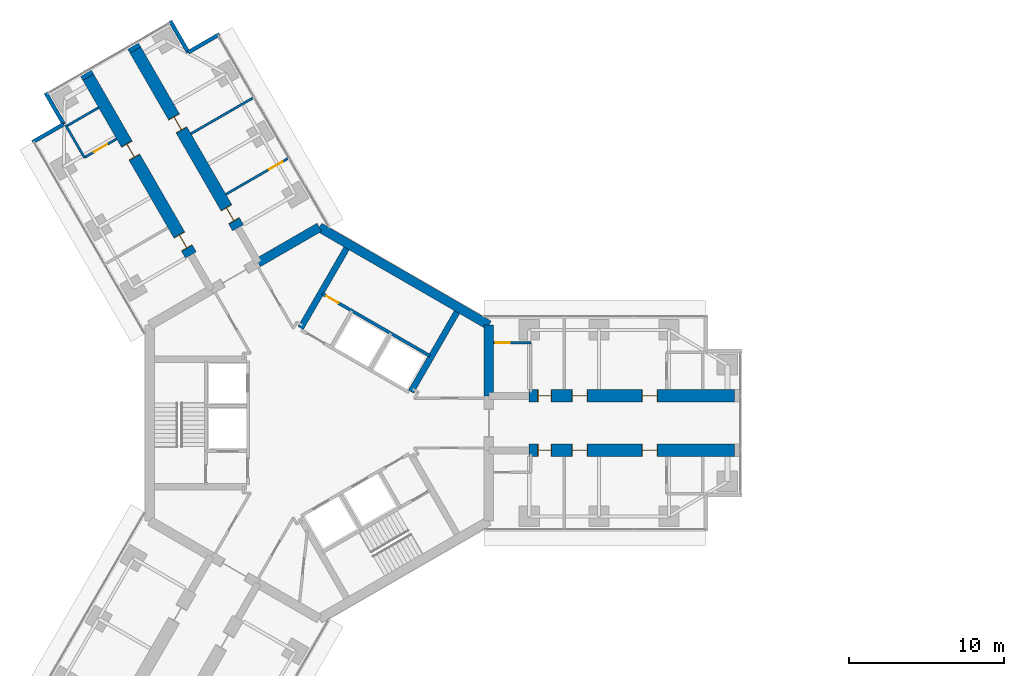
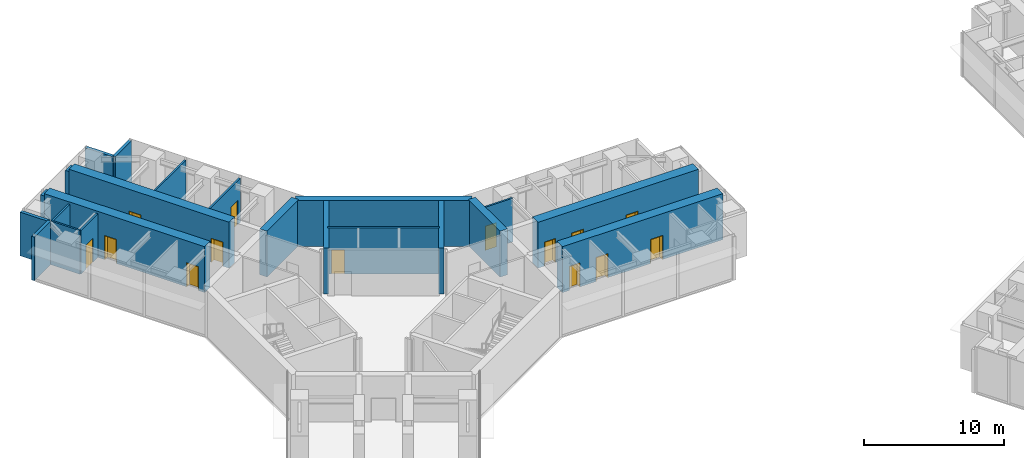
# One storey, part 17 of 22: 22 walls, 14 doors, 14 openings.
"""IFC4 building model written with IfcOpenShell, lengths in metres."""

from ifc_helpers import new_model, si_unit, direction, frame, frame_2d, origin, place, context, subcontext, project, spatial, rectangle, extrude, material, layer, layer_set, type_object, element, fill, save


model = new_model("IFC4")

# Units and contexts
model_context = context("Model", 3, precision=1e-05, world=origin(), true_north=direction((0.0, 1.0)))
body_context = subcontext(model_context, "Body", "Model", "MODEL_VIEW")
ifc_project = project(units=[si_unit("LENGTHUNIT", "METRE"), si_unit("AREAUNIT", "SQUARE_METRE"), si_unit("VOLUMEUNIT", "CUBIC_METRE"), si_unit("PLANEANGLEUNIT", "RADIAN"), si_unit("MASSUNIT", "GRAM", prefix="KILO")], contexts=[model_context])

# Site, building, storey
site_placement = place(None, origin())
site = spatial("IfcSite", under=ifc_project, at=site_placement, CompositionType="ELEMENT")
building_placement = place(site_placement, origin())
building = spatial("IfcBuilding", under=site, at=building_placement, Name="Upepo Twin Towers", CompositionType="ELEMENT")
storey_placement = place(building_placement, frame((0.0, 0.0, 121.5)))
storey = spatial("IfcBuildingStorey", under=building, at=storey_placement, Name="L29", CompositionType="ELEMENT", Elevation=121.5)

# Walls
ifc_material_1 = material(Name="Dense concrete blockwork", Category="masonry")
ifc_layer_1 = layer(ifc_material_1, 0.800048828125)
ifc_layer_set_1 = layer_set([ifc_layer_1], Name="Buttress closer 800, blockwork with fire-stopping to the curtain wall")
wall_type_1 = type_object("IfcWallType", Name="Buttress closer 800, blockwork with fire-stopping to the curtain wall", PredefinedType="PARTITIONING", material=ifc_layer_set_1)
wall_1_placement = place(storey_placement, frame((-14.865478515625, 22.247802734375, 0.0), z_axis=(0.0, 0.0, 1.0), x_axis=(-0.500426713919, 0.865778900179, 0.0)))
element("IfcWall", 1, at=wall_1_placement, inside=storey, type_object=wall_type_1, Name="T1 L29 wing B buttress closer L", PredefinedType="PARTITIONING", context=body_context, shape_type="SweptSolid", body=[
    extrude(rectangle(XDim=0.300048828125, YDim=0.800048828125, at=frame_2d((0.14990234375, 0.0))), origin(), (0.0, 0.0, 1.0), 3.800048828125),
])
wall_2_placement = place(storey_placement, frame((-11.83447265625, 23.997802734375, 0.0), z_axis=(0.0, 0.0, 1.0), x_axis=(-0.499816412211, 0.866131372301, 0.0)))
element("IfcWall", 2, at=wall_2_placement, inside=storey, type_object=wall_type_1, Name="T1 L29 wing B buttress closer R", PredefinedType="PARTITIONING", context=body_context, shape_type="SweptSolid", body=[
    extrude(rectangle(XDim=0.2998046875, YDim=0.800048828125, at=frame_2d((0.14990234375, 0.0))), origin(), (0.0, 0.0, 1.0), 3.800048828125),
])

# Wall, openings, doors
ifc_material_2 = material(Name="Concrete C60/75", Category="concrete")
ifc_layer_2 = layer(ifc_material_2, 0.800048828125)
ifc_layer_set_2 = layer_set([ifc_layer_2], Name="Concrete C60/75")
wall_type_2 = type_object("IfcWallType", Name="Buttress wall 800 RC", PredefinedType="SHEAR", material=ifc_layer_set_2)
wall_3_placement = place(storey_placement, frame((13.5, 1.75, 0.0), z_axis=(0.0, 0.0, 1.0), x_axis=(1.0, 0.0, 0.0)))
wall_3 = element("IfcWall", 3, at=wall_3_placement, inside=storey, type_object=wall_type_2, Name="T1 wing A buttress wall L part 2", PredefinedType="SHEAR", context=body_context, shape_type="SweptSolid", body=[
    extrude(rectangle(XDim=13.199951171875, YDim=0.800048828125, at=frame_2d((6.60009765625, 0.0))), origin(), (0.0, 0.0, 1.0), 4.0),
])
opening_1_placement = place(wall_3_placement, frame((0.550048828125, 0.0, 0.0)))
opening_1 = element("IfcOpeningElement", 4, at=opening_1_placement, cuts=wall_3, Name="Opening D11", PredefinedType="OPENING", context=body_context, shape_type="SweptSolid", body=[
    extrude(rectangle(XDim=0.89990234375, YDim=2.10009765625, at=frame_2d((0.449951171875, 1.050048828125))), frame((0.0, 0.409912109375, 0.0), z_axis=(0.0, -1.0, 0.0), x_axis=(1.0, 0.0, 0.0)), (0.0, 0.0, 1.0), 0.820068359375),
])
opening_2_placement = place(wall_3_placement, frame((2.75, 0.0, 0.0)))
opening_2 = element("IfcOpeningElement", 5, at=opening_2_placement, cuts=wall_3, Name="Opening D1", PredefinedType="OPENING", context=body_context, shape_type="SweptSolid", body=[
    extrude(rectangle(XDim=1.0, YDim=2.10009765625, at=frame_2d((0.5, 1.050048828125))), frame((0.0, 0.409912109375, 0.0), z_axis=(0.0, -1.0, 0.0), x_axis=(1.0, 0.0, 0.0)), (0.0, 0.0, 1.0), 0.820068359375),
])
opening_3_placement = place(wall_3_placement, frame((7.25, 0.0, 0.0)))
opening_3 = element("IfcOpeningElement", 6, at=opening_3_placement, cuts=wall_3, Name="Opening D1", PredefinedType="OPENING", context=body_context, shape_type="SweptSolid", body=[
    extrude(rectangle(XDim=1.0, YDim=2.10009765625, at=frame_2d((0.5, 1.050048828125))), frame((0.0, 0.409912109375, 0.0), z_axis=(0.0, -1.0, 0.0), x_axis=(1.0, 0.0, 0.0)), (0.0, 0.0, 1.0), 0.820068359375),
])
ifc_material_3 = material(Name="Timber doorset", Category="wood")
door_type_1 = type_object("IfcDoorType", Name="Room door 1000 FD30", OperationType="SINGLE_SWING_LEFT", PredefinedType="DOOR", material=ifc_material_3)
door_1_placement = place(opening_2_placement, origin())
door_1 = element("IfcDoor", 7, at=door_1_placement, inside=storey, type_object=door_type_1, Name="T1 L29 research laboratory door", OperationType="SINGLE_SWING_LEFT", OverallHeight=2.10009765625, OverallWidth=1.0, PredefinedType="DOOR", context=body_context, shape_type="SweptSolid", body=[
    extrude(rectangle(XDim=0.92, YDim=2.06009765625, at=frame_2d((0.5, 1.030029296875))), frame((0.0, 0.02490234375, 0.0), z_axis=(0.0, -1.0, 0.0), x_axis=(1.0, 0.0, 0.0)), (0.0, 0.0, 1.0), 0.050048828125),
    extrude(rectangle(XDim=0.04, YDim=2.10009765625, at=frame_2d((0.02001953125, 1.050048828125))), frame((0.0, 0.39990234375, 0.0), z_axis=(0.0, -1.0, 0.0), x_axis=(1.0, 0.0, 0.0)), (0.0, 0.0, 1.0), 0.799560546875),
    extrude(rectangle(XDim=0.04, YDim=2.10009765625, at=frame_2d((0.97998046875, 1.050048828125))), frame((0.0, 0.39990234375, 0.0), z_axis=(0.0, -1.0, 0.0), x_axis=(1.0, 0.0, 0.0)), (0.0, 0.0, 1.0), 0.799560546875),
    extrude(rectangle(XDim=0.92, YDim=0.04, at=frame_2d((0.5, 2.080078125))), frame((0.0, 0.39990234375, 0.0), z_axis=(0.0, -1.0, 0.0), x_axis=(1.0, 0.0, 0.0)), (0.0, 0.0, 1.0), 0.799560546875),
])
fill(opening_2, door_1)
door_2_placement = place(opening_3_placement, origin())
door_2 = element("IfcDoor", 8, at=door_2_placement, inside=storey, type_object=door_type_1, Name="T1 L29 research laboratory door", OperationType="SINGLE_SWING_RIGHT", OverallHeight=2.10009765625, OverallWidth=1.0, PredefinedType="DOOR", context=body_context, shape_type="SweptSolid", body=[
    extrude(rectangle(XDim=0.92, YDim=2.06009765625, at=frame_2d((0.5, 1.030029296875))), frame((0.0, 0.02490234375, 0.0), z_axis=(0.0, -1.0, 0.0), x_axis=(1.0, 0.0, 0.0)), (0.0, 0.0, 1.0), 0.050048828125),
    extrude(rectangle(XDim=0.04, YDim=2.10009765625, at=frame_2d((0.02001953125, 1.050048828125))), frame((0.0, 0.39990234375, 0.0), z_axis=(0.0, -1.0, 0.0), x_axis=(1.0, 0.0, 0.0)), (0.0, 0.0, 1.0), 0.799560546875),
    extrude(rectangle(XDim=0.04, YDim=2.10009765625, at=frame_2d((0.97998046875, 1.050048828125))), frame((0.0, 0.39990234375, 0.0), z_axis=(0.0, -1.0, 0.0), x_axis=(1.0, 0.0, 0.0)), (0.0, 0.0, 1.0), 0.799560546875),
    extrude(rectangle(XDim=0.92, YDim=0.04, at=frame_2d((0.5, 2.080078125))), frame((0.0, 0.39990234375, 0.0), z_axis=(0.0, -1.0, 0.0), x_axis=(1.0, 0.0, 0.0)), (0.0, 0.0, 1.0), 0.799560546875),
])
fill(opening_3, door_2)
ifc_material_4 = material(Name="Timber doorset", Category="wood")
door_type_2 = type_object("IfcDoorType", Name="Toilet door 900", OperationType="SINGLE_SWING_LEFT", PredefinedType="DOOR", material=ifc_material_4)
door_3_placement = place(opening_1_placement, origin())
door_3 = element("IfcDoor", 9, at=door_3_placement, inside=storey, type_object=door_type_2, Name="T1 L29 accessible wc door", OperationType="SINGLE_SWING_LEFT", OverallHeight=2.10009765625, OverallWidth=0.89990234375, PredefinedType="DOOR", context=body_context, shape_type="SweptSolid", body=[
    extrude(rectangle(XDim=0.81990234375, YDim=2.06009765625, at=frame_2d((0.449951171875, 1.030029296875))), frame((0.0, 0.02490234375, 0.0), z_axis=(0.0, -1.0, 0.0), x_axis=(1.0, 0.0, 0.0)), (0.0, 0.0, 1.0), 0.050048828125),
    extrude(rectangle(XDim=0.04, YDim=2.10009765625, at=frame_2d((0.02001953125, 1.050048828125))), frame((0.0, 0.39990234375, 0.0), z_axis=(0.0, -1.0, 0.0), x_axis=(1.0, 0.0, 0.0)), (0.0, 0.0, 1.0), 0.799560546875),
    extrude(rectangle(XDim=0.04, YDim=2.10009765625, at=frame_2d((0.8798828125, 1.050048828125))), frame((0.0, 0.39990234375, 0.0), z_axis=(0.0, -1.0, 0.0), x_axis=(1.0, 0.0, 0.0)), (0.0, 0.0, 1.0), 0.799560546875),
    extrude(rectangle(XDim=0.81990234375, YDim=0.04, at=frame_2d((0.449951171875, 2.080078125))), frame((0.0, 0.39990234375, 0.0), z_axis=(0.0, -1.0, 0.0), x_axis=(1.0, 0.0, 0.0)), (0.0, 0.0, 1.0), 0.799560546875),
])
fill(opening_1, door_3)

wall_4_placement = place(storey_placement, frame((13.5, -1.75, 0.0), z_axis=(0.0, 0.0, 1.0), x_axis=(1.0, 0.0, 0.0)))
wall_4 = element("IfcWall", 10, at=wall_4_placement, inside=storey, type_object=wall_type_2, Name="T1 wing A buttress wall R part 2", PredefinedType="SHEAR", context=body_context, shape_type="SweptSolid", body=[
    extrude(rectangle(XDim=13.199951171875, YDim=0.800048828125, at=frame_2d((6.60009765625, 0.0))), origin(), (0.0, 0.0, 1.0), 4.0),
])
opening_4_placement = place(wall_4_placement, frame((0.550048828125, 0.0, 0.0)))
opening_4 = element("IfcOpeningElement", 11, at=opening_4_placement, cuts=wall_4, Name="Opening D11", PredefinedType="OPENING", context=body_context, shape_type="SweptSolid", body=[
    extrude(rectangle(XDim=0.89990234375, YDim=2.10009765625, at=frame_2d((0.449951171875, 1.050048828125))), frame((0.0, 0.409912109375, 0.0), z_axis=(0.0, -1.0, 0.0), x_axis=(1.0, 0.0, 0.0)), (0.0, 0.0, 1.0), 0.820068359375),
])
opening_5_placement = place(wall_4_placement, frame((2.75, 0.0, 0.0)))
opening_5 = element("IfcOpeningElement", 12, at=opening_5_placement, cuts=wall_4, Name="Opening D1", PredefinedType="OPENING", context=body_context, shape_type="SweptSolid", body=[
    extrude(rectangle(XDim=1.0, YDim=2.10009765625, at=frame_2d((0.5, 1.050048828125))), frame((0.0, 0.409912109375, 0.0), z_axis=(0.0, -1.0, 0.0), x_axis=(1.0, 0.0, 0.0)), (0.0, 0.0, 1.0), 0.820068359375),
])
opening_6_placement = place(wall_4_placement, frame((7.25, 0.0, 0.0)))
opening_6 = element("IfcOpeningElement", 13, at=opening_6_placement, cuts=wall_4, Name="Opening D1", PredefinedType="OPENING", context=body_context, shape_type="SweptSolid", body=[
    extrude(rectangle(XDim=1.0, YDim=2.10009765625, at=frame_2d((0.5, 1.050048828125))), frame((0.0, 0.409912109375, 0.0), z_axis=(0.0, -1.0, 0.0), x_axis=(1.0, 0.0, 0.0)), (0.0, 0.0, 1.0), 0.820068359375),
])
door_4_placement = place(opening_5_placement, origin())
door_4 = element("IfcDoor", 14, at=door_4_placement, inside=storey, type_object=door_type_1, Name="T1 L29 research laboratory door", OperationType="SINGLE_SWING_LEFT", OverallHeight=2.10009765625, OverallWidth=1.0, PredefinedType="DOOR", context=body_context, shape_type="SweptSolid", body=[
    extrude(rectangle(XDim=0.92, YDim=2.06009765625, at=frame_2d((0.5, 1.030029296875))), frame((0.0, 0.02490234375, 0.0), z_axis=(0.0, -1.0, 0.0), x_axis=(1.0, 0.0, 0.0)), (0.0, 0.0, 1.0), 0.050048828125),
    extrude(rectangle(XDim=0.04, YDim=2.10009765625, at=frame_2d((0.02001953125, 1.050048828125))), frame((0.0, 0.39990234375, 0.0), z_axis=(0.0, -1.0, 0.0), x_axis=(1.0, 0.0, 0.0)), (0.0, 0.0, 1.0), 0.799560546875),
    extrude(rectangle(XDim=0.04, YDim=2.10009765625, at=frame_2d((0.97998046875, 1.050048828125))), frame((0.0, 0.39990234375, 0.0), z_axis=(0.0, -1.0, 0.0), x_axis=(1.0, 0.0, 0.0)), (0.0, 0.0, 1.0), 0.799560546875),
    extrude(rectangle(XDim=0.92, YDim=0.04, at=frame_2d((0.5, 2.080078125))), frame((0.0, 0.39990234375, 0.0), z_axis=(0.0, -1.0, 0.0), x_axis=(1.0, 0.0, 0.0)), (0.0, 0.0, 1.0), 0.799560546875),
])
fill(opening_5, door_4)
door_5_placement = place(opening_6_placement, origin())
door_5 = element("IfcDoor", 15, at=door_5_placement, inside=storey, type_object=door_type_1, Name="T1 L29 research laboratory door", OperationType="SINGLE_SWING_RIGHT", OverallHeight=2.10009765625, OverallWidth=1.0, PredefinedType="DOOR", context=body_context, shape_type="SweptSolid", body=[
    extrude(rectangle(XDim=0.92, YDim=2.06009765625, at=frame_2d((0.5, 1.030029296875))), frame((0.0, 0.02490234375, 0.0), z_axis=(0.0, -1.0, 0.0), x_axis=(1.0, 0.0, 0.0)), (0.0, 0.0, 1.0), 0.050048828125),
    extrude(rectangle(XDim=0.04, YDim=2.10009765625, at=frame_2d((0.02001953125, 1.050048828125))), frame((0.0, 0.39990234375, 0.0), z_axis=(0.0, -1.0, 0.0), x_axis=(1.0, 0.0, 0.0)), (0.0, 0.0, 1.0), 0.799560546875),
    extrude(rectangle(XDim=0.04, YDim=2.10009765625, at=frame_2d((0.97998046875, 1.050048828125))), frame((0.0, 0.39990234375, 0.0), z_axis=(0.0, -1.0, 0.0), x_axis=(1.0, 0.0, 0.0)), (0.0, 0.0, 1.0), 0.799560546875),
    extrude(rectangle(XDim=0.92, YDim=0.04, at=frame_2d((0.5, 2.080078125))), frame((0.0, 0.39990234375, 0.0), z_axis=(0.0, -1.0, 0.0), x_axis=(1.0, 0.0, 0.0)), (0.0, 0.0, 1.0), 0.799560546875),
])
fill(opening_6, door_5)
door_6_placement = place(opening_4_placement, origin())
door_6 = element("IfcDoor", 16, at=door_6_placement, inside=storey, type_object=door_type_2, Name="T1 L29 toilets door", OperationType="SINGLE_SWING_LEFT", OverallHeight=2.10009765625, OverallWidth=0.89990234375, PredefinedType="DOOR", context=body_context, shape_type="SweptSolid", body=[
    extrude(rectangle(XDim=0.81990234375, YDim=2.06009765625, at=frame_2d((0.449951171875, 1.030029296875))), frame((0.0, 0.02490234375, 0.0), z_axis=(0.0, -1.0, 0.0), x_axis=(1.0, 0.0, 0.0)), (0.0, 0.0, 1.0), 0.050048828125),
    extrude(rectangle(XDim=0.04, YDim=2.10009765625, at=frame_2d((0.02001953125, 1.050048828125))), frame((0.0, 0.39990234375, 0.0), z_axis=(0.0, -1.0, 0.0), x_axis=(1.0, 0.0, 0.0)), (0.0, 0.0, 1.0), 0.799560546875),
    extrude(rectangle(XDim=0.04, YDim=2.10009765625, at=frame_2d((0.8798828125, 1.050048828125))), frame((0.0, 0.39990234375, 0.0), z_axis=(0.0, -1.0, 0.0), x_axis=(1.0, 0.0, 0.0)), (0.0, 0.0, 1.0), 0.799560546875),
    extrude(rectangle(XDim=0.81990234375, YDim=0.04, at=frame_2d((0.449951171875, 2.080078125))), frame((0.0, 0.39990234375, 0.0), z_axis=(0.0, -1.0, 0.0), x_axis=(1.0, 0.0, 0.0)), (0.0, 0.0, 1.0), 0.799560546875),
])
fill(opening_4, door_6)

wall_5_placement = place(storey_placement, frame((-8.265625, 10.81640625, 0.0), z_axis=(0.0, 0.0, 1.0), x_axis=(-0.499996231654, 0.866027579429, 0.0)))
wall_5 = element("IfcWall", 17, at=wall_5_placement, inside=storey, type_object=wall_type_2, Name="T1 wing B buttress wall L part 2", PredefinedType="SHEAR", context=body_context, shape_type="SweptSolid", body=[
    extrude(rectangle(XDim=13.19970703125, YDim=0.800048828125, at=frame_2d((6.599853515625, 0.0))), origin(), (0.0, 0.0, 1.0), 4.0),
])
opening_7_placement = place(wall_5_placement, frame((0.5, 0.0, 0.0)))
opening_7 = element("IfcOpeningElement", 18, at=opening_7_placement, cuts=wall_5, Name="Opening D1", PredefinedType="OPENING", context=body_context, shape_type="SweptSolid", body=[
    extrude(rectangle(XDim=1.0, YDim=2.10009765625, at=frame_2d((0.5, 1.050048828125))), frame((0.0, 0.409912109375, 0.0), z_axis=(0.0, -1.0, 0.0), x_axis=(1.0, 0.0, 0.0)), (0.0, 0.0, 1.0), 0.820068359375),
])
opening_8_placement = place(wall_5_placement, frame((7.25, 0.0, 0.0)))
opening_8 = element("IfcOpeningElement", 19, at=opening_8_placement, cuts=wall_5, Name="Opening D1", PredefinedType="OPENING", context=body_context, shape_type="SweptSolid", body=[
    extrude(rectangle(XDim=1.0, YDim=2.10009765625, at=frame_2d((0.5, 1.050048828125))), frame((0.0, 0.409912109375, 0.0), z_axis=(0.0, -1.0, 0.0), x_axis=(1.0, 0.0, 0.0)), (0.0, 0.0, 1.0), 0.820068359375),
])
door_7_placement = place(opening_7_placement, origin())
door_7 = element("IfcDoor", 20, at=door_7_placement, inside=storey, type_object=door_type_1, Name="T1 L29 seminar room door", OperationType="SINGLE_SWING_LEFT", OverallHeight=2.10009765625, OverallWidth=1.0, PredefinedType="DOOR", context=body_context, shape_type="SweptSolid", body=[
    extrude(rectangle(XDim=0.92, YDim=2.06009765625, at=frame_2d((0.5, 1.030029296875))), frame((0.0, 0.02490234375, 0.0), z_axis=(0.0, -1.0, 0.0), x_axis=(1.0, 0.0, 0.0)), (0.0, 0.0, 1.0), 0.050048828125),
    extrude(rectangle(XDim=0.04, YDim=2.10009765625, at=frame_2d((0.02001953125, 1.050048828125))), frame((0.0, 0.39990234375, 0.0), z_axis=(0.0, -1.0, 0.0), x_axis=(1.0, 0.0, 0.0)), (0.0, 0.0, 1.0), 0.799560546875),
    extrude(rectangle(XDim=0.04, YDim=2.10009765625, at=frame_2d((0.97998046875, 1.050048828125))), frame((0.0, 0.39990234375, 0.0), z_axis=(0.0, -1.0, 0.0), x_axis=(1.0, 0.0, 0.0)), (0.0, 0.0, 1.0), 0.799560546875),
    extrude(rectangle(XDim=0.92, YDim=0.04, at=frame_2d((0.5, 2.080078125))), frame((0.0, 0.39990234375, 0.0), z_axis=(0.0, -1.0, 0.0), x_axis=(1.0, 0.0, 0.0)), (0.0, 0.0, 1.0), 0.799560546875),
])
fill(opening_7, door_7)
door_8_placement = place(opening_8_placement, origin())
door_8 = element("IfcDoor", 21, at=door_8_placement, inside=storey, type_object=door_type_1, Name="T1 L29 research laboratory door", OperationType="SINGLE_SWING_RIGHT", OverallHeight=2.10009765625, OverallWidth=1.0, PredefinedType="DOOR", context=body_context, shape_type="SweptSolid", body=[
    extrude(rectangle(XDim=0.92, YDim=2.06009765625, at=frame_2d((0.5, 1.030029296875))), frame((0.0, 0.02490234375, 0.0), z_axis=(0.0, -1.0, 0.0), x_axis=(1.0, 0.0, 0.0)), (0.0, 0.0, 1.0), 0.050048828125),
    extrude(rectangle(XDim=0.04, YDim=2.10009765625, at=frame_2d((0.02001953125, 1.050048828125))), frame((0.0, 0.39990234375, 0.0), z_axis=(0.0, -1.0, 0.0), x_axis=(1.0, 0.0, 0.0)), (0.0, 0.0, 1.0), 0.799560546875),
    extrude(rectangle(XDim=0.04, YDim=2.10009765625, at=frame_2d((0.97998046875, 1.050048828125))), frame((0.0, 0.39990234375, 0.0), z_axis=(0.0, -1.0, 0.0), x_axis=(1.0, 0.0, 0.0)), (0.0, 0.0, 1.0), 0.799560546875),
    extrude(rectangle(XDim=0.92, YDim=0.04, at=frame_2d((0.5, 2.080078125))), frame((0.0, 0.39990234375, 0.0), z_axis=(0.0, -1.0, 0.0), x_axis=(1.0, 0.0, 0.0)), (0.0, 0.0, 1.0), 0.799560546875),
])
fill(opening_8, door_8)

wall_6_placement = place(storey_placement, frame((-5.234375, 12.56640625, 0.0), z_axis=(0.0, 0.0, 1.0), x_axis=(-0.500010103361, 0.866019570528, 0.0)))
wall_6 = element("IfcWall", 22, at=wall_6_placement, inside=storey, type_object=wall_type_2, Name="T1 wing B buttress wall R part 2", PredefinedType="SHEAR", context=body_context, shape_type="SweptSolid", body=[
    extrude(rectangle(XDim=13.199951171875, YDim=0.800048828125, at=frame_2d((6.60009765625, 0.0))), origin(), (0.0, 0.0, 1.0), 4.0),
])
opening_9_placement = place(wall_6_placement, frame((0.5, 0.0, 0.0)))
opening_9 = element("IfcOpeningElement", 23, at=opening_9_placement, cuts=wall_6, Name="Opening D1", PredefinedType="OPENING", context=body_context, shape_type="SweptSolid", body=[
    extrude(rectangle(XDim=1.0, YDim=2.10009765625, at=frame_2d((0.5, 1.050048828125))), frame((0.0, 0.409912109375, 0.0), z_axis=(0.0, -1.0, 0.0), x_axis=(1.0, 0.0, 0.0)), (0.0, 0.0, 1.0), 0.820068359375),
])
opening_10_placement = place(wall_6_placement, frame((7.25, 0.0, 0.0)))
opening_10 = element("IfcOpeningElement", 24, at=opening_10_placement, cuts=wall_6, Name="Opening D1", PredefinedType="OPENING", context=body_context, shape_type="SweptSolid", body=[
    extrude(rectangle(XDim=1.0, YDim=2.10009765625, at=frame_2d((0.5, 1.050048828125))), frame((0.0, 0.409912109375, 0.0), z_axis=(0.0, -1.0, 0.0), x_axis=(1.0, 0.0, 0.0)), (0.0, 0.0, 1.0), 0.820068359375),
])
door_9_placement = place(opening_9_placement, origin())
door_9 = element("IfcDoor", 25, at=door_9_placement, inside=storey, type_object=door_type_1, Name="T1 L29 staff office door", OperationType="SINGLE_SWING_LEFT", OverallHeight=2.10009765625, OverallWidth=1.0, PredefinedType="DOOR", context=body_context, shape_type="SweptSolid", body=[
    extrude(rectangle(XDim=0.92, YDim=2.06009765625, at=frame_2d((0.5, 1.030029296875))), frame((0.0, 0.02490234375, 0.0), z_axis=(0.0, -1.0, 0.0), x_axis=(1.0, 0.0, 0.0)), (0.0, 0.0, 1.0), 0.050048828125),
    extrude(rectangle(XDim=0.04, YDim=2.10009765625, at=frame_2d((0.02001953125, 1.050048828125))), frame((0.0, 0.39990234375, 0.0), z_axis=(0.0, -1.0, 0.0), x_axis=(1.0, 0.0, 0.0)), (0.0, 0.0, 1.0), 0.799560546875),
    extrude(rectangle(XDim=0.04, YDim=2.10009765625, at=frame_2d((0.97998046875, 1.050048828125))), frame((0.0, 0.39990234375, 0.0), z_axis=(0.0, -1.0, 0.0), x_axis=(1.0, 0.0, 0.0)), (0.0, 0.0, 1.0), 0.799560546875),
    extrude(rectangle(XDim=0.92, YDim=0.04, at=frame_2d((0.5, 2.080078125))), frame((0.0, 0.39990234375, 0.0), z_axis=(0.0, -1.0, 0.0), x_axis=(1.0, 0.0, 0.0)), (0.0, 0.0, 1.0), 0.799560546875),
])
fill(opening_9, door_9)
door_10_placement = place(opening_10_placement, origin())
door_10 = element("IfcDoor", 26, at=door_10_placement, inside=storey, type_object=door_type_1, Name="T1 L29 computing laboratory door", OperationType="SINGLE_SWING_RIGHT", OverallHeight=2.10009765625, OverallWidth=1.0, PredefinedType="DOOR", context=body_context, shape_type="SweptSolid", body=[
    extrude(rectangle(XDim=0.92, YDim=2.06009765625, at=frame_2d((0.5, 1.030029296875))), frame((0.0, 0.02490234375, 0.0), z_axis=(0.0, -1.0, 0.0), x_axis=(1.0, 0.0, 0.0)), (0.0, 0.0, 1.0), 0.050048828125),
    extrude(rectangle(XDim=0.04, YDim=2.10009765625, at=frame_2d((0.02001953125, 1.050048828125))), frame((0.0, 0.39990234375, 0.0), z_axis=(0.0, -1.0, 0.0), x_axis=(1.0, 0.0, 0.0)), (0.0, 0.0, 1.0), 0.799560546875),
    extrude(rectangle(XDim=0.04, YDim=2.10009765625, at=frame_2d((0.97998046875, 1.050048828125))), frame((0.0, 0.39990234375, 0.0), z_axis=(0.0, -1.0, 0.0), x_axis=(1.0, 0.0, 0.0)), (0.0, 0.0, 1.0), 0.799560546875),
    extrude(rectangle(XDim=0.92, YDim=0.04, at=frame_2d((0.5, 2.080078125))), frame((0.0, 0.39990234375, 0.0), z_axis=(0.0, -1.0, 0.0), x_axis=(1.0, 0.0, 0.0)), (0.0, 0.0, 1.0), 0.799560546875),
])
fill(opening_10, door_10)

# Walls
ifc_material_5 = material(Name="Concrete C60/75", Category="concrete")
ifc_layer_3 = layer(ifc_material_5, 0.60009765625)
ifc_layer_set_3 = layer_set([ifc_layer_3], Name="Concrete C60/75")
wall_type_3 = type_object("IfcWallType", Name="Core wall 600 RC", PredefinedType="SHEAR", material=ifc_layer_set_3)
wall_7_placement = place(storey_placement, frame((10.908447265625, 1.75, 0.0), z_axis=(0.0, 0.0, 1.0), x_axis=(0.0, 1.0, 0.0)))
element("IfcWall", 27, at=wall_7_placement, inside=storey, type_object=wall_type_3, Name="T1 core wall 000 L", PredefinedType="SHEAR", context=body_context, shape_type="SweptSolid", body=[
    extrude(rectangle(XDim=4.5478515625, YDim=0.60009765625, at=frame_2d((2.27392578125, 0.0))), origin(), (0.0, 0.0, 1.0), 4.0),
])
wall_8_placement = place(storey_placement, frame((10.908447265625, 6.2978515625, 0.0), z_axis=(0.0, 0.0, 1.0), x_axis=(-0.866021940709, 0.500005998175, 0.0)))
element("IfcWall", 28, at=wall_8_placement, inside=storey, type_object=wall_type_3, Name="T1 core wall 060", PredefinedType="SHEAR", context=body_context, shape_type="SweptSolid", body=[
    extrude(rectangle(XDim=12.595947265625, YDim=0.60009765625, at=frame_2d((6.2978515625, 0.0))), origin(), (0.0, 0.0, 1.0), 4.0),
])
wall_9_placement = place(storey_placement, frame((0.0, 12.595947265625, 0.0), z_axis=(0.0, 0.0, 1.0), x_axis=(-0.866011268655, -0.500024481964, 0.0)))
element("IfcWall", 29, at=wall_9_placement, inside=storey, type_object=wall_type_3, Name="T1 core wall 120 R", PredefinedType="SHEAR", context=body_context, shape_type="SweptSolid", body=[
    extrude(rectangle(XDim=4.548095703125, YDim=0.60009765625, at=frame_2d((2.27392578125, 0.0))), origin(), (0.0, 0.0, 1.0), 4.0),
])
ifc_material_6 = material(Name="Blockwork with anodised aluminium cladding", Category="masonry")
ifc_layer_4 = layer(ifc_material_6, 0.25)
ifc_layer_set_4 = layer_set([ifc_layer_4], Name="Notch cladding wall 250, pale metal")
wall_type_4 = type_object("IfcWallType", Name="Notch cladding wall 250, pale metal", PredefinedType="STANDARD", material=ifc_layer_set_4)
for number, where, z_axis, x_axis, name in (
    (30, (-18.456298828125, 18.0673828125, 0.0), (0.0, 0.0, 1.0), (0.865998469481, 0.500046648681, 0.0), "T1 L29 wing B notch wall L1"),
    (31, (-16.44287109375, 19.22998046875, 0.0), (0.0, 0.0, 1.0), (-0.500046648681, 0.865998469481, 0.0), "T1 L29 wing B notch wall L2"),
    (32, (-6.418701171875, 25.017333984375, 0.0), (0.0, 0.0, 1.0), (-0.866043940782, -0.499967891604, 0.0), "T1 L29 wing B notch wall R1"),
    (33, (-8.43212890625, 23.85498046875, 0.0), (0.0, 0.0, 1.0), (-0.500046648681, 0.865998469481, 0.0), "T1 L29 wing B notch wall R2"),
):
    element("IfcWall", number, at=place(storey_placement, frame(where, z_axis=z_axis, x_axis=x_axis)), inside=storey, type_object=wall_type_4, Name=name, PredefinedType="STANDARD", context=body_context, shape_type="SweptSolid", body=[
        extrude(rectangle(XDim=2.324951171875, YDim=0.25, at=frame_2d((1.16259765625, 0.0))), origin(), (0.0, 0.0, 1.0), 3.800048828125),
    ])

# Wall, opening, door
ifc_material_7 = material(Name="Concrete C40/50", Category="concrete")
ifc_layer_5 = layer(ifc_material_7, 0.199951171875)
ifc_layer_set_5 = layer_set([ifc_layer_5], Name="Concrete C40/50")
wall_type_5 = type_object("IfcWallType", Name="Shaft wall 200 RC", PredefinedType="SHEAR", material=ifc_layer_set_5)
wall_10_placement = place(storey_placement, frame((7.114013671875, 4.322021484375, 0.0), z_axis=(0.0, 0.0, 1.0), x_axis=(-0.866026010844, 0.49999894854, 0.0)))
wall_10 = element("IfcWall", 34, at=wall_10_placement, inside=storey, type_object=wall_type_5, Name="T1 core W60 stair wall", PredefinedType="SHEAR", context=body_context, shape_type="SweptSolid", body=[
    extrude(rectangle(XDim=8.0, YDim=0.199951171875, at=frame_2d((4.0, 0.0))), origin(), (0.0, 0.0, 1.0), 4.0),
])
opening_11_placement = place(wall_10_placement, frame((6.800048828125, 0.0, 0.0)))
opening_11 = element("IfcOpeningElement", 35, at=opening_11_placement, cuts=wall_10, Name="Opening D9", PredefinedType="OPENING", context=body_context, shape_type="SweptSolid", body=[
    extrude(rectangle(XDim=0.89990234375, YDim=2.10009765625, at=frame_2d((0.449951171875, 1.050048828125))), frame((0.0, 0.10986328125, 0.0), z_axis=(0.0, -1.0, 0.0), x_axis=(1.0, 0.0, 0.0)), (0.0, 0.0, 1.0), 0.219970703125),
])
ifc_material_8 = material(Name="Timber doorset", Category="wood")
door_type_3 = type_object("IfcDoorType", Name="Riser door 900 FD60", OperationType="SINGLE_SWING_LEFT", PredefinedType="DOOR", material=ifc_material_8)
door_11_placement = place(opening_11_placement, origin())
door_11 = element("IfcDoor", 36, at=door_11_placement, inside=storey, type_object=door_type_3, Name="T1 L29 riser door", OperationType="SINGLE_SWING_RIGHT", OverallHeight=2.10009765625, OverallWidth=0.89990234375, PredefinedType="DOOR", context=body_context, shape_type="SweptSolid", body=[
    extrude(rectangle(XDim=0.89990234375, YDim=2.10009765625, at=frame_2d((0.449951171875, 1.050048828125))), frame((0.0, 0.02490234375, 0.0), z_axis=(0.0, -1.0, 0.0), x_axis=(1.0, 0.0, 0.0)), (0.0, 0.0, 1.0), 0.050048828125),
])
fill(opening_11, door_11)

# Walls
ifc_material_9 = material(Name="Concrete C40/50", Category="concrete")
ifc_layer_6 = layer(ifc_material_9, 0.39990234375)
ifc_layer_set_6 = layer_set([ifc_layer_6], Name="Concrete C40/50")
wall_type_6 = type_object("IfcWallType", Name="Shaft wall 400 RC", PredefinedType="SHEAR", material=ifc_layer_set_6)
wall_11_placement = place(storey_placement, frame((-1.20068359375, 6.120361328125, 0.0), z_axis=(0.0, 0.0, 1.0), x_axis=(0.49999668571, 0.866027317282, 0.0)))
element("IfcWall", 37, at=wall_11_placement, inside=storey, type_object=wall_type_6, Name="T1 core W60 side wall N", PredefinedType="SHEAR", context=body_context, shape_type="SweptSolid", body=[
    extrude(rectangle(XDim=5.908203125, YDim=0.39990234375, at=frame_2d((2.9541015625, 0.0))), origin(), (0.0, 0.0, 1.0), 4.0),
])
wall_12_placement = place(storey_placement, frame((5.900634765625, 2.020263671875, 0.0), z_axis=(0.0, 0.0, 1.0), x_axis=(0.500027676417, 0.866009424208, 0.0)))
element("IfcWall", 38, at=wall_12_placement, inside=storey, type_object=wall_type_6, Name="T1 core W60 side wall S", PredefinedType="SHEAR", context=body_context, shape_type="SweptSolid", body=[
    extrude(rectangle(XDim=5.908447265625, YDim=0.39990234375, at=frame_2d((2.9541015625, 0.0))), origin(), (0.0, 0.0, 1.0), 4.0),
])

# Wall, opening, door
ifc_material_10 = material(Name="Gypsum board on steel studs", Category="steel")
ifc_layer_7 = layer(ifc_material_10, 0.14990234375)
ifc_layer_set_7 = layer_set([ifc_layer_7], Name="Teaching partition 150 acoustic")
wall_type_7 = type_object("IfcWallType", Name="Teaching partition 150 acoustic", PredefinedType="PARTITIONING", material=ifc_layer_set_7)
wall_13_placement = place(storey_placement, frame((11.2080078125, 5.175048828125, 0.0), z_axis=(0.0, 0.0, 1.0), x_axis=(1.0, 0.0, 0.0)))
wall_13 = element("IfcWall", 39, at=wall_13_placement, inside=storey, type_object=wall_type_7, Name="T1 WC bay partition AL at 11.21", PredefinedType="PARTITIONING", context=body_context, shape_type="SweptSolid", body=[
    extrude(rectangle(XDim=2.39990234375, YDim=0.14990234375, at=frame_2d((1.199951171875, 0.0))), origin(), (0.0, 0.0, 1.0), 3.800048828125),
])
opening_12_placement = place(wall_13_placement, frame((0.14990234375, 0.0, 0.0)))
opening_12 = element("IfcOpeningElement", 40, at=opening_12_placement, cuts=wall_13, Name="Opening D14", PredefinedType="OPENING", context=body_context, shape_type="SweptSolid", body=[
    extrude(rectangle(XDim=0.89990234375, YDim=2.10009765625, at=frame_2d((0.449951171875, 1.050048828125))), frame((0.0, 0.0849609375, 0.0), z_axis=(0.0, -1.0, 0.0), x_axis=(1.0, 0.0, 0.0)), (0.0, 0.0, 1.0), 0.169921875),
])
ifc_material_11 = material(Name="Timber doorset", Category="wood")
door_type_4 = type_object("IfcDoorType", Name="Office door 900 FD30", OperationType="SINGLE_SWING_LEFT", PredefinedType="DOOR", material=ifc_material_11)
door_12_placement = place(opening_12_placement, origin())
door_12 = element("IfcDoor", 41, at=door_12_placement, inside=storey, type_object=door_type_4, Name="T1 L29 WC bay inner room door", OperationType="SINGLE_SWING_LEFT", OverallHeight=2.10009765625, OverallWidth=0.89990234375, PredefinedType="DOOR", context=body_context, shape_type="SweptSolid", body=[
    extrude(rectangle(XDim=0.89990234375, YDim=2.10009765625, at=frame_2d((0.449951171875, 1.050048828125))), frame((0.0, 0.02490234375, 0.0), z_axis=(0.0, -1.0, 0.0), x_axis=(1.0, 0.0, 0.0)), (0.0, 0.0, 1.0), 0.050048828125),
])
fill(opening_12, door_12)

# Wall
wall_14_placement = place(storey_placement, frame((-15.115478515625, 17.08056640625, 0.0), z_axis=(0.0, 0.0, 1.0), x_axis=(-0.499957262057, 0.866050077142, 0.0)))
element("IfcWall", 42, at=wall_14_placement, inside=storey, type_object=wall_type_7, Name="T1 inner room partition BL at 22.35", PredefinedType="PARTITIONING", context=body_context, shape_type="SweptSolid", body=[
    extrude(rectangle(XDim=2.400146484375, YDim=0.14990234375, at=frame_2d((1.2001953125, 0.0))), origin(), (0.0, 0.0, 1.0), 3.800048828125),
])

# Wall, opening, door
wall_15_placement = place(storey_placement, frame((-13.036865234375, 18.28076171875, 0.0), z_axis=(0.0, 0.0, 1.0), x_axis=(-0.866006032174, -0.500033551112, 0.0)))
wall_15 = element("IfcWall", 43, at=wall_15_placement, inside=storey, type_object=wall_type_7, Name="T1 inner room partition BL end at 22.35", PredefinedType="PARTITIONING", context=body_context, shape_type="SweptSolid", body=[
    extrude(rectangle(XDim=2.400146484375, YDim=0.14990234375, at=frame_2d((1.2001953125, 0.0))), origin(), (0.0, 0.0, 1.0), 3.800048828125),
])
opening_13_placement = place(wall_15_placement, frame((0.699951171875, 0.0, 0.0)))
opening_13 = element("IfcOpeningElement", 44, at=opening_13_placement, cuts=wall_15, Name="Opening D1", PredefinedType="OPENING", context=body_context, shape_type="SweptSolid", body=[
    extrude(rectangle(XDim=1.0, YDim=2.10009765625, at=frame_2d((0.5, 1.050048828125))), frame((0.0, 0.0849609375, 0.0), z_axis=(0.0, -1.0, 0.0), x_axis=(1.0, 0.0, 0.0)), (0.0, 0.0, 1.0), 0.169921875),
])
door_13_placement = place(opening_13_placement, origin())
door_13 = element("IfcDoor", 45, at=door_13_placement, inside=storey, type_object=door_type_1, Name="T1 L29 inner room door", OperationType="SINGLE_SWING_LEFT", OverallHeight=2.10009765625, OverallWidth=1.0, PredefinedType="DOOR", context=body_context, shape_type="SweptSolid", body=[
    extrude(rectangle(XDim=1.0, YDim=2.10009765625, at=frame_2d((0.5, 1.050048828125))), frame((0.0, 0.02490234375, 0.0), z_axis=(0.0, -1.0, 0.0), x_axis=(1.0, 0.0, 0.0)), (0.0, 0.0, 1.0), 0.050048828125),
])
fill(opening_13, door_13)

# Wall
wall_16_placement = place(storey_placement, frame((-14.199462890625, 20.294189453125, 0.0), z_axis=(0.0, 0.0, 1.0), x_axis=(-0.866024647952, -0.500001309137, 0.0)))
element("IfcWall", 46, at=wall_16_placement, inside=storey, type_object=wall_type_7, Name="T1 inner room partition BL end at 24.75", PredefinedType="PARTITIONING", context=body_context, shape_type="SweptSolid", body=[
    extrude(rectangle(XDim=2.39990234375, YDim=0.14990234375, at=frame_2d((1.199951171875, 0.0))), origin(), (0.0, 0.0, 1.0), 3.800048828125),
])

# Wall, opening, door
wall_17_placement = place(storey_placement, frame((-6.012939453125, 14.71484375, 0.0), z_axis=(0.0, 0.0, 1.0), x_axis=(0.866016770315, 0.500014953309, 0.0)))
wall_17 = element("IfcWall", 47, at=wall_17_placement, inside=storey, type_object=wall_type_7, Name="T1 partition BR at 15.75", PredefinedType="PARTITIONING", context=body_context, shape_type="SweptSolid", body=[
    extrude(rectangle(XDim=4.599853515625, YDim=0.14990234375, at=frame_2d((2.2998046875, 0.0))), origin(), (0.0, 0.0, 1.0), 3.800048828125),
])
opening_14_placement = place(wall_17_placement, frame((3.199951171875, 0.0, 0.0)))
opening_14 = element("IfcOpeningElement", 48, at=opening_14_placement, cuts=wall_17, Name="Opening D1", PredefinedType="OPENING", context=body_context, shape_type="SweptSolid", body=[
    extrude(rectangle(XDim=1.0, YDim=2.10009765625, at=frame_2d((0.5, 1.050048828125))), frame((0.0, 0.0849609375, 0.0), z_axis=(0.0, -1.0, 0.0), x_axis=(1.0, 0.0, 0.0)), (0.0, 0.0, 1.0), 0.169921875),
])
door_14_placement = place(opening_14_placement, origin())
door_14 = element("IfcDoor", 49, at=door_14_placement, inside=storey, type_object=door_type_1, Name="T1 L29 connecting door", OperationType="SINGLE_SWING_RIGHT", OverallHeight=2.10009765625, OverallWidth=1.0, PredefinedType="DOOR", context=body_context, shape_type="SweptSolid", body=[
    extrude(rectangle(XDim=1.0, YDim=2.10009765625, at=frame_2d((0.5, 1.050048828125))), frame((0.0, 0.02490234375, 0.0), z_axis=(0.0, -1.0, 0.0), x_axis=(1.0, 0.0, 0.0)), (0.0, 0.0, 1.0), 0.050048828125),
])
fill(opening_14, door_14)

# Wall
wall_18_placement = place(storey_placement, frame((-8.262939453125, 18.612060546875, 0.0), z_axis=(0.0, 0.0, 1.0), x_axis=(0.866016770315, 0.500014953309, 0.0)))
element("IfcWall", 50, at=wall_18_placement, inside=storey, type_object=wall_type_7, Name="T1 partition BR at 20.25", PredefinedType="PARTITIONING", context=body_context, shape_type="SweptSolid", body=[
    extrude(rectangle(XDim=4.599853515625, YDim=0.14990234375, at=frame_2d((2.2998046875, 0.0))), origin(), (0.0, 0.0, 1.0), 3.800048828125),
])

save(model, "model.ifc")
